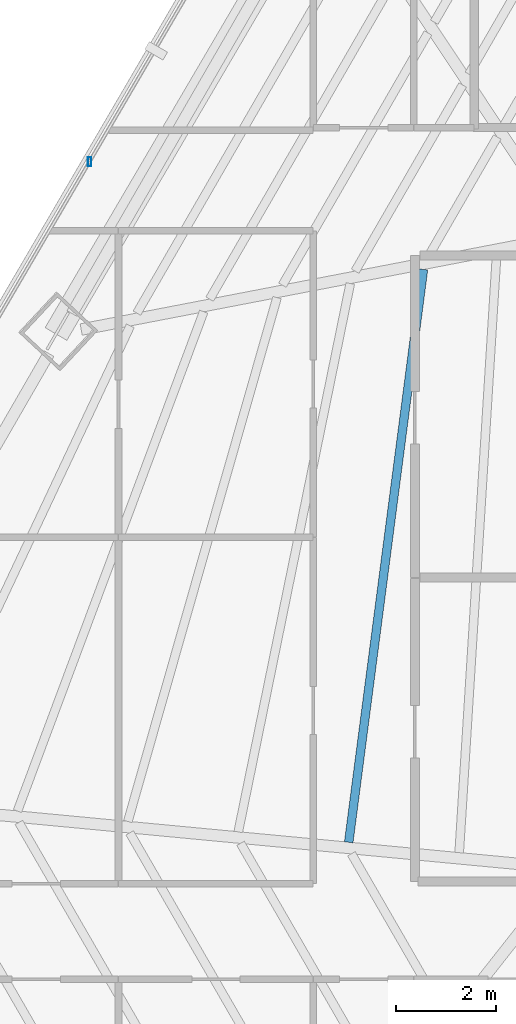
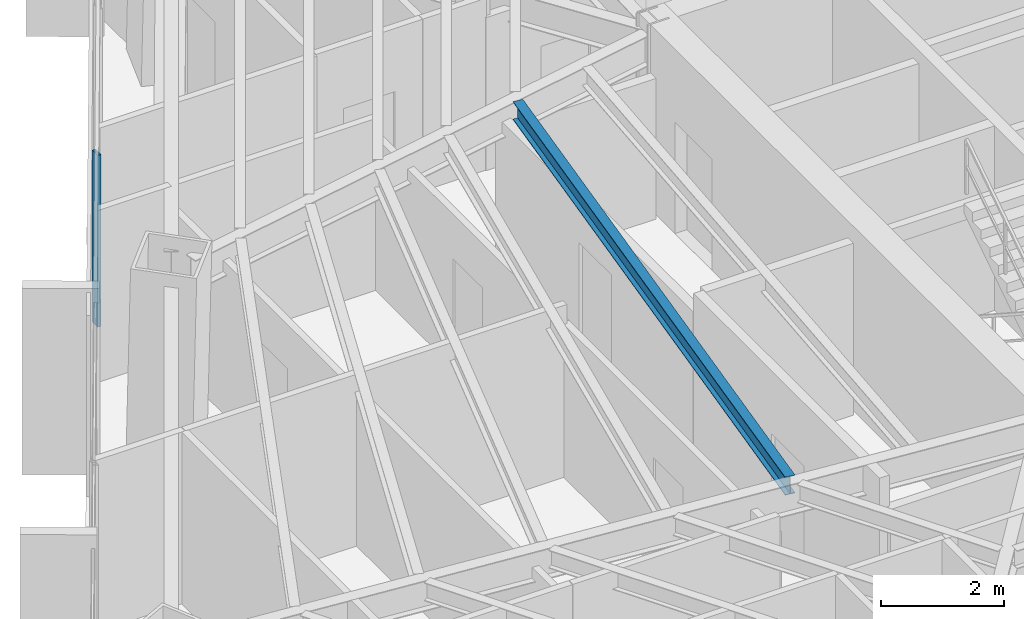
# One storey, part 13 of 37: 1 beam, 1 member, 1 element without a shape of its own.
"""IFC4 building model written with IfcOpenShell, lengths in metres."""

from ifc_helpers import new_model, si_unit, direction, frame, origin, origin_2d, place, context, subcontext, project, spatial, hollow_rectangle, i_section, extrude, source, transform, mapped, material, material_profile, profile_set, type_object, type_shapes, element, aggregate, save


model = new_model("IFC4")

# Units and contexts
model_context = context("Model", 3, precision=1e-05, world=origin(), true_north=direction((0.0, 1.0)))
body_context = subcontext(model_context, "Body", "Model", "MODEL_VIEW")
ifc_project = project(units=[si_unit("LENGTHUNIT", "METRE"), si_unit("AREAUNIT", "SQUARE_METRE"), si_unit("VOLUMEUNIT", "CUBIC_METRE"), si_unit("PLANEANGLEUNIT", "RADIAN"), si_unit("MASSUNIT", "GRAM", prefix="KILO")], contexts=[model_context])

# Site, building, storey
site_placement = place(None, origin())
site = spatial("IfcSite", under=ifc_project, at=site_placement, CompositionType="ELEMENT")
building_placement = place(site_placement, origin())
building = spatial("IfcBuilding", under=site, at=building_placement, Name="Caelisora Broadcast Tower", CompositionType="ELEMENT")
storey_placement = place(building_placement, frame((0.0, 0.0, 120.0)))
storey = spatial("IfcBuildingStorey", under=building, at=storey_placement, Name="L31", CompositionType="ELEMENT", Elevation=120.0)

# Beam
ifc_material_1 = material(Name="Steel Grade 350 (AS/NZS 3679.1)", Category="steel")
ifc_material_profile_1 = material_profile(ifc_material_1, i_section(OverallWidth=0.172119140625, OverallDepth=0.358642578125, WebThickness=0.008056640625, FlangeThickness=0.012939453125, at=origin_2d()), Name="Steel Grade 350 (AS/NZS 3679.1)")
ifc_profile_set_1 = profile_set([ifc_material_profile_1], Name="Steel Grade 350 (AS/NZS 3679.1)")
beam_type = type_object("IfcBeamType", Name="SB02", PredefinedType="JOIST", material=ifc_profile_set_1)
shared_shape_1 = source(origin(), body_context, "Body", "SweptSolid", [
    extrude(i_section(OverallWidth=0.172119140625, OverallDepth=0.358642578125, WebThickness=0.008056640625, FlangeThickness=0.012939453125, at=origin_2d()), origin(), (0.0, 0.0, 1.0), 11.49755859375),
])
type_shapes(beam_type, [shared_shape_1])
beam_placement = place(storey_placement, frame((27.58935546875, 29.3271484375, 3.220703125), z_axis=(-0.129359155304, -0.991597806038, 0.0), x_axis=(0.991597806038, -0.129359155304, 0.0)))
element("IfcBeam", 1, at=beam_placement, inside=storey, type_object=beam_type, Name="L31 beam SB02", PredefinedType="JOIST", context=body_context, shape_type="MappedRepresentation", body=[
    mapped(shared_shape_1, transform((0.0, 0.0, 0.0), scale=1.0)),
])

# Curtain wall, member
ifc_material_2 = material(Name="Unitised Aluminium Insulated Shadow-Box Spandrel Curtain Wall", Category="aluminium")
curtain_wall_type = type_object("IfcCurtainWallType", Name="CW-SP1", PredefinedType="NOTDEFINED", material=ifc_material_2)
curtain_wall_placement = place(storey_placement, origin())
curtain_wall = element("IfcCurtainWall", 2, at=curtain_wall_placement, inside=storey, type_object=curtain_wall_type, Name="L31 curtain wall CW-SP1", PredefinedType="NOTDEFINED")
ifc_material_3 = material(Name="Aluminium 6063-T6 Anodised Terracotta Bronze", Category="aluminium")
ifc_material_profile_2 = material_profile(ifc_material_3, hollow_rectangle(XDim=0.06494140625, YDim=0.179931640625, WallThickness=0.00341796875, at=origin_2d()), Name="Aluminium 6063-T6 Anodised Terracotta Bronze")
ifc_profile_set_2 = profile_set([ifc_material_profile_2], Name="Aluminium 6063-T6 Anodised Terracotta Bronze")
member_type = type_object("IfcMemberType", Name="CWM-02", PredefinedType="MULLION", material=ifc_profile_set_2)
shared_shape_2 = source(origin(), body_context, "Body", "SweptSolid", [
    extrude(hollow_rectangle(XDim=0.06494140625, YDim=0.179931640625, WallThickness=0.00341796875, at=origin_2d()), origin(), (0.0, 0.0, 1.0), 3.39990234375),
])
type_shapes(member_type, [shared_shape_2])
member_placement = place(storey_placement, frame((20.94482421875, 31.47216796875, 0.0), z_axis=(0.0, 0.0, 1.0), x_axis=(1.0, 0.0, 0.0)))
member = element("IfcMember", 3, at=member_placement, type_object=member_type, Name="L31-CW-B10 mullion #1", PredefinedType="MULLION", context=body_context, shape_type="MappedRepresentation", body=[
    mapped(shared_shape_2, transform((0.0, 0.0, 0.0), scale=1.0)),
])
aggregate(curtain_wall, [member])

save(model, "model.ifc")
